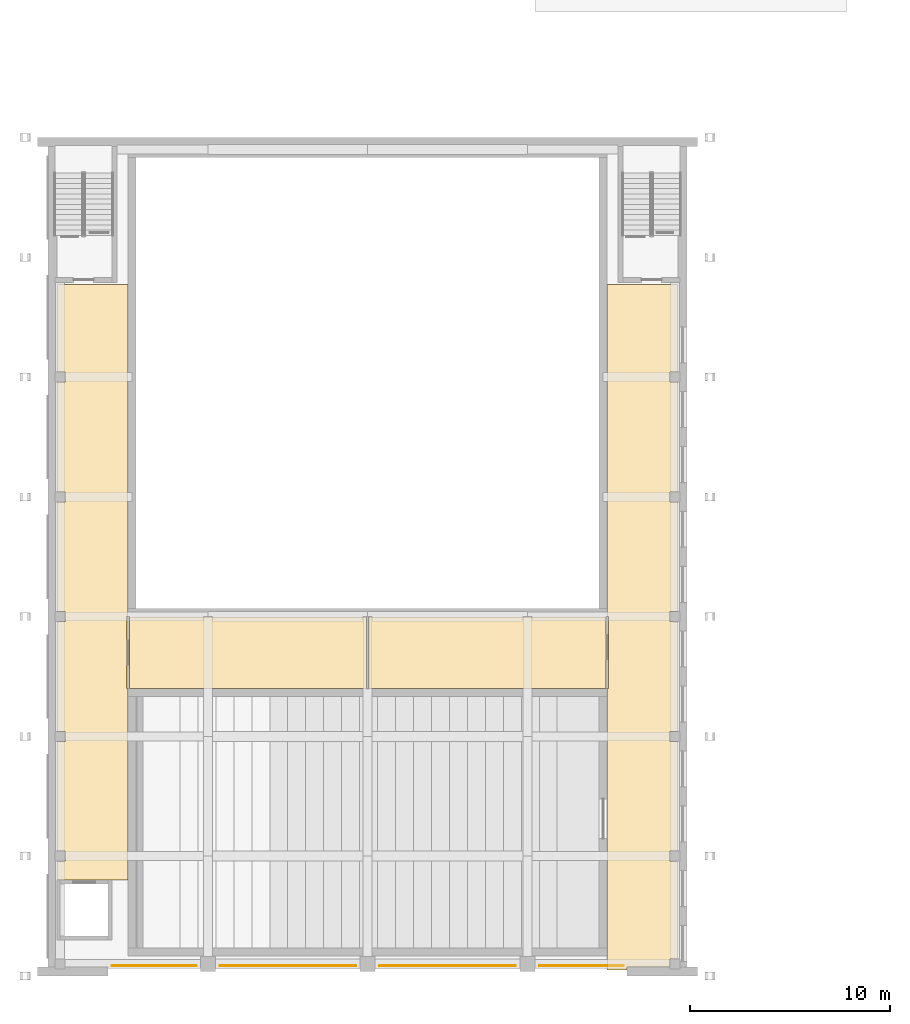
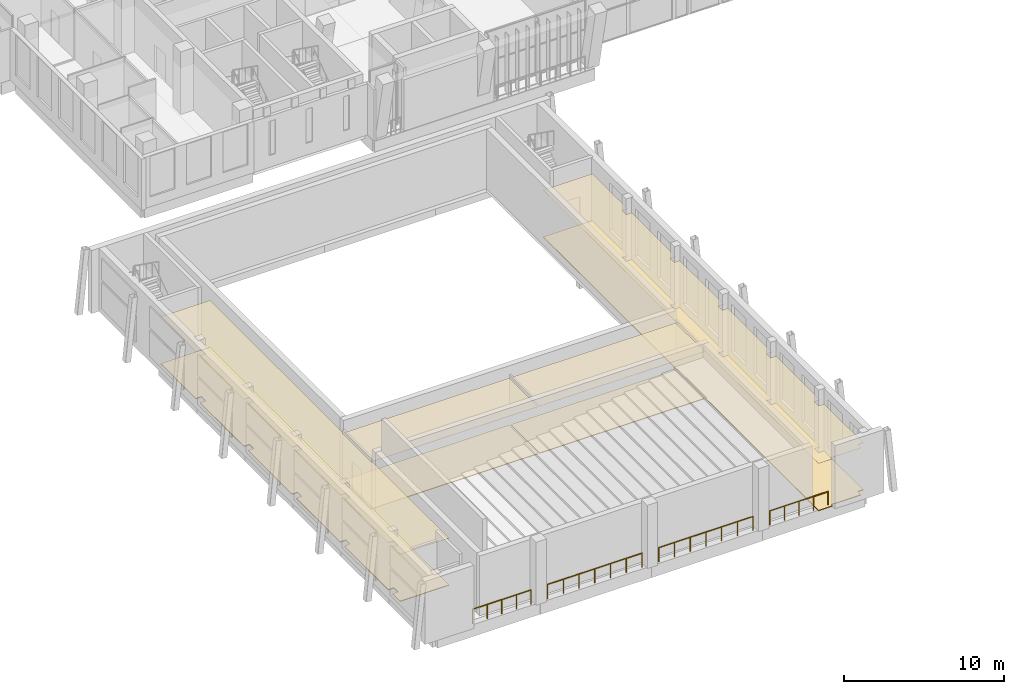
# One storey, part 72 of 92: 8 coverings, 4 railings.
"""IFC4 building model written with IfcOpenShell, lengths in metres."""

from ifc_helpers import new_model, si_unit, direction, frame, origin, origin_2d, place, context, subcontext, project, spatial, polyline, circle, outline, extrude, material, layer, layer_set, type_object, element, save


model = new_model("IFC4")

# Units and contexts
model_context = context("Model", 3, precision=1e-05, world=origin(), true_north=direction((0.0, 1.0)))
body_context = subcontext(model_context, "Body", "Model", "MODEL_VIEW")
ifc_project = project(units=[si_unit("LENGTHUNIT", "METRE"), si_unit("AREAUNIT", "SQUARE_METRE"), si_unit("VOLUMEUNIT", "CUBIC_METRE"), si_unit("PLANEANGLEUNIT", "RADIAN"), si_unit("MASSUNIT", "GRAM", prefix="KILO")], contexts=[model_context])

# Site, building, storey
site_placement = place(None, origin())
site = spatial("IfcSite", under=ifc_project, at=site_placement, CompositionType="ELEMENT")
building_placement = place(site_placement, origin())
building = spatial("IfcBuilding", under=site, at=building_placement, Name="Lantern Court Media Centre", CompositionType="ELEMENT")
storey_placement = place(building_placement, frame((0.0, 0.0, 4.800048828125)))
storey = spatial("IfcBuildingStorey", under=building, at=storey_placement, Name="L01", CompositionType="ELEMENT", Elevation=4.800048828125)

# Coverings
ifc_material_1 = material(Name="Carpet")
ifc_layer_1 = layer(ifc_material_1, 0.050048828125)
ifc_layer_set_1 = layer_set([ifc_layer_1], Name="Carpet")
covering_type_1 = type_object("IfcCoveringType", Name="Carpet floor finish", PredefinedType="FLOORING", material=ifc_layer_set_1)
covering_1_placement = place(storey_placement, origin())
element("IfcCovering", 1, at=covering_1_placement, inside=storey, type_object=covering_type_1, Name="Projection Room Screen 1 floor finish", PredefinedType="FLOORING", context=body_context, shape_type="SweptSolid", body=[
    extrude(outline(polyline([(4.0673828125, 12.405029296875), (4.0673828125, 15.9951171875), (15.945068359375, 15.9951171875), (15.945068359375, 12.405029296875), (4.0673828125, 12.405029296875)])), origin(), (0.0, 0.0, 1.0), 0.050048828125),
])
covering_2_placement = place(storey_placement, origin())
element("IfcCovering", 2, at=covering_2_placement, inside=storey, type_object=covering_type_1, Name="Projection Room Screen 2 floor finish", PredefinedType="FLOORING", context=body_context, shape_type="SweptSolid", body=[
    extrude(outline(polyline([(16.054931640625, 12.405029296875), (16.054931640625, 15.9951171875), (27.9326171875, 15.9951171875), (27.9326171875, 12.405029296875), (16.054931640625, 12.405029296875)])), origin(), (0.0, 0.0, 1.0), 0.050048828125),
])

# Railings
ifc_material_2 = material(Name="Powder-coated steel", Category="steel")
railing_type = type_object("IfcRailingType", Name="Floor edge guard 1100", PredefinedType="GUARDRAIL", material=ifc_material_2)
railing_1_placement = place(storey_placement, frame((7.409912109375, -1.489990234375, 0.0)))
element("IfcRailing", 3, at=railing_1_placement, inside=storey, type_object=railing_type, Name="L01 edge guard 3", PredefinedType="GUARDRAIL", context=body_context, shape_type="SweptSolid", body=[
    extrude(circle(Radius=0.02392578125, at=origin_2d()), frame((0.0, 0.0, 1.076171875), z_axis=(-1.0, 0.0, 0.0), x_axis=(0.0, -1.0, 0.0)), (0.0, 0.0, 1.0), 4.199951171875),
    extrude(circle(Radius=0.02099609375, at=origin_2d()), origin(), (0.0, 0.0, 1.0), 1.052001953125),
    extrude(circle(Radius=0.02099609375, at=origin_2d()), frame((-1.050048828125, 0.0, 0.0)), (0.0, 0.0, 1.0), 1.052001953125),
    extrude(circle(Radius=0.02099609375, at=origin_2d()), frame((-2.10009765625, 0.0, 0.0)), (0.0, 0.0, 1.0), 1.052001953125),
    extrude(circle(Radius=0.02099609375, at=origin_2d()), frame((-3.14990234375, 0.0, 0.0)), (0.0, 0.0, 1.0), 1.052001953125),
    extrude(circle(Radius=0.02099609375, at=origin_2d()), frame((-4.199951171875, 0.0, 0.0)), (0.0, 0.0, 1.0), 1.052001953125),
])
for number, where, name in (
    (4, (15.409912109375, -1.489990234375, 0.0), "L01 edge guard 8"),
    (5, (23.409912109375, -1.489990234375, 0.0), "L01 edge guard 9"),
):
    element("IfcRailing", number, at=place(storey_placement, frame(where)), inside=storey, type_object=railing_type, Name=name, PredefinedType="GUARDRAIL", context=body_context, shape_type="SweptSolid", body=[
        extrude(circle(Radius=0.02392578125, at=origin_2d()), frame((0.0, 0.0, 1.076171875), z_axis=(-1.0, 0.0, 0.0), x_axis=(0.0, -1.0, 0.0)), (0.0, 0.0, 1.0), 6.7998046875),
        extrude(circle(Radius=0.02099609375, at=origin_2d()), origin(), (0.0, 0.0, 1.0), 1.052001953125),
        extrude(circle(Radius=0.02099609375, at=origin_2d()), frame((-1.13330078125, 0.0, 0.0)), (0.0, 0.0, 1.0), 1.052001953125),
        extrude(circle(Radius=0.02099609375, at=origin_2d()), frame((-2.2666015625, 0.0, 0.0)), (0.0, 0.0, 1.0), 1.052001953125),
        extrude(circle(Radius=0.02099609375, at=origin_2d()), frame((-3.39990234375, 0.0, 0.0)), (0.0, 0.0, 1.0), 1.052001953125),
        extrude(circle(Radius=0.02099609375, at=origin_2d()), frame((-4.533203125, 0.0, 0.0)), (0.0, 0.0, 1.0), 1.052001953125),
        extrude(circle(Radius=0.02099609375, at=origin_2d()), frame((-5.66650390625, 0.0, 0.0)), (0.0, 0.0, 1.0), 1.052001953125),
        extrude(circle(Radius=0.02099609375, at=origin_2d()), frame((-6.7998046875, 0.0, 0.0)), (0.0, 0.0, 1.0), 1.052001953125),
    ])
railing_2_placement = place(storey_placement, frame((28.81005859375, -1.489990234375, 0.0)))
element("IfcRailing", 6, at=railing_2_placement, inside=storey, type_object=railing_type, Name="L01 edge guard 10", PredefinedType="GUARDRAIL", context=body_context, shape_type="SweptSolid", body=[
    extrude(circle(Radius=0.02392578125, at=origin_2d()), frame((0.0, 0.0, 1.076171875), z_axis=(-1.0, 0.0, 0.0), x_axis=(0.0, -1.0, 0.0)), (0.0, 0.0, 1.0), 4.199951171875),
    extrude(circle(Radius=0.02099609375, at=origin_2d()), origin(), (0.0, 0.0, 1.0), 1.052001953125),
    extrude(circle(Radius=0.02099609375, at=origin_2d()), frame((-1.050048828125, 0.0, 0.0)), (0.0, 0.0, 1.0), 1.052001953125),
    extrude(circle(Radius=0.02099609375, at=origin_2d()), frame((-2.10009765625, 0.0, 0.0)), (0.0, 0.0, 1.0), 1.052001953125),
    extrude(circle(Radius=0.02099609375, at=origin_2d()), frame((-3.14990234375, 0.0, 0.0)), (0.0, 0.0, 1.0), 1.052001953125),
    extrude(circle(Radius=0.02099609375, at=origin_2d()), frame((-4.199951171875, 0.0, 0.0)), (0.0, 0.0, 1.0), 1.052001953125),
])

# Coverings
ifc_material_3 = material(Name="Mineral fibre ceiling tile")
ifc_layer_2 = layer(ifc_material_3, 0.02001953125)
ifc_layer_set_2 = layer_set([ifc_layer_2], Name="Mineral fibre ceiling tile")
covering_type_2 = type_object("IfcCoveringType", Name="Suspended ceiling tile", PredefinedType="CEILING", material=ifc_layer_set_2)
covering_3_placement = place(storey_placement, frame((0.0, 0.0, 3.599853515625)))
element("IfcCovering", 7, at=covering_3_placement, inside=storey, type_object=covering_type_2, Name="Exit Corridor ceiling", PredefinedType="CEILING", context=body_context, shape_type="SweptSolid", body=[
    extrude(outline(polyline([(3.99951171875, 32.64990234375), (3.99951171875, 16.00048828125), (3.93701171875, 16.0), (3.93701171875, 12.39990234375), (3.99951171875, 12.3994140625), (3.99951171875, 2.800048828125), (0.450439453125, 2.800537109375), (0.450439453125, 3.74951171875), (0.8505859375, 3.75), (0.850341796875, 4.250244140625), (0.450439453125, 4.25048828125), (0.450439453125, 9.74951171875), (0.8505859375, 9.75), (0.850341796875, 10.250244140625), (0.450439453125, 10.25048828125), (0.450439453125, 15.74951171875), (0.8505859375, 15.75), (0.850341796875, 16.250244140625), (0.450439453125, 16.25048828125), (0.450439453125, 21.74951171875), (0.8505859375, 21.75), (0.850341796875, 22.250244140625), (0.450439453125, 22.25048828125), (0.450439453125, 27.74951171875), (0.8505859375, 27.75), (0.850341796875, 28.250244140625), (0.450439453125, 28.25048828125), (0.450439453125, 32.64990234375), (3.99951171875, 32.64990234375)])), origin(), (0.0, 0.0, 1.0), 0.02001953125),
])
covering_4_placement = place(storey_placement, frame((0.0, 0.0, 3.599853515625)))
element("IfcCovering", 8, at=covering_4_placement, inside=storey, type_object=covering_type_2, Name="Exit Corridor ceiling", PredefinedType="CEILING", context=body_context, shape_type="SweptSolid", body=[
    extrude(outline(polyline([(31.549560546875, 32.64990234375), (31.549560546875, 28.25048828125), (31.1494140625, 28.25), (31.149658203125, 27.749755859375), (31.549560546875, 27.74951171875), (31.549560546875, 22.25048828125), (31.1494140625, 22.25), (31.149658203125, 21.749755859375), (31.549560546875, 21.74951171875), (31.549560546875, 16.25048828125), (31.1494140625, 16.25), (31.149658203125, 15.749755859375), (31.549560546875, 15.74951171875), (31.549560546875, 10.25048828125), (31.1494140625, 10.25), (31.149658203125, 9.749755859375), (31.549560546875, 9.74951171875), (31.549560546875, 4.25048828125), (31.1494140625, 4.25), (31.149658203125, 3.749755859375), (31.549560546875, 3.74951171875), (31.549560546875, -1.1494140625), (31.149658203125, -1.149658203125), (31.1494140625, -1.549560546875), (29.0, -1.549560546875), (28.99951171875, -1.699951171875), (28.0, -1.699951171875), (28.00048828125, 12.3994140625), (28.06298828125, 12.39990234375), (28.06298828125, 16.0), (28.00048828125, 16.00048828125), (28.00048828125, 32.64990234375), (31.549560546875, 32.64990234375)])), origin(), (0.0, 0.0, 1.0), 0.02001953125),
])
covering_5_placement = place(storey_placement, frame((0.0, 0.0, 3.599853515625)))
element("IfcCovering", 9, at=covering_5_placement, inside=storey, type_object=covering_type_2, Name="Projection Room Screen 1 ceiling", PredefinedType="CEILING", context=body_context, shape_type="SweptSolid", body=[
    extrude(outline(polyline([(4.06298828125, 12.400390625), (4.06298828125, 15.99951171875), (15.949462890625, 15.99951171875), (15.949462890625, 12.400390625), (4.06298828125, 12.400390625)])), origin(), (0.0, 0.0, 1.0), 0.02001953125),
])
covering_6_placement = place(storey_placement, frame((0.0, 0.0, 3.599853515625)))
element("IfcCovering", 10, at=covering_6_placement, inside=storey, type_object=covering_type_2, Name="Projection Room Screen 2 ceiling", PredefinedType="CEILING", context=body_context, shape_type="SweptSolid", body=[
    extrude(outline(polyline([(16.050537109375, 12.400390625), (16.050537109375, 15.99951171875), (27.93701171875, 15.99951171875), (27.93701171875, 12.400390625), (16.050537109375, 12.400390625)])), origin(), (0.0, 0.0, 1.0), 0.02001953125),
])
ifc_material_4 = material(Name="Terrazzo")
ifc_layer_3 = layer(ifc_material_4, 0.050048828125)
ifc_layer_set_3 = layer_set([ifc_layer_3], Name="Terrazzo")
covering_type_3 = type_object("IfcCoveringType", Name="Terrazzo floor finish", PredefinedType="FLOORING", material=ifc_layer_set_3)
covering_7_placement = place(storey_placement, origin())
element("IfcCovering", 11, at=covering_7_placement, inside=storey, type_object=covering_type_3, Name="Exit Corridor floor finish", PredefinedType="FLOORING", context=body_context, shape_type="SweptSolid", body=[
    extrude(outline(polyline([(3.9951171875, 32.64990234375), (3.9951171875, 16.0048828125), (3.9326171875, 16.0), (3.9326171875, 12.39990234375), (3.9951171875, 12.39501953125), (3.9951171875, 2.800048828125), (0.455078125, 2.804931640625), (0.455078125, 3.7451171875), (0.85498046875, 3.75), (0.853759765625, 4.253173828125), (0.455078125, 4.2548828125), (0.455078125, 9.7451171875), (0.85498046875, 9.75), (0.853759765625, 10.253173828125), (0.455078125, 10.2548828125), (0.455078125, 15.7451171875), (0.85498046875, 15.75), (0.853759765625, 16.253173828125), (0.455078125, 16.2548828125), (0.455078125, 21.7451171875), (0.85498046875, 21.75), (0.853759765625, 22.253173828125), (0.455078125, 22.2548828125), (0.455078125, 27.7451171875), (0.85498046875, 27.75), (0.853759765625, 28.253173828125), (0.455078125, 28.2548828125), (0.455078125, 32.64990234375), (3.9951171875, 32.64990234375)])), origin(), (0.0, 0.0, 1.0), 0.050048828125),
])
covering_8_placement = place(storey_placement, origin())
element("IfcCovering", 12, at=covering_8_placement, inside=storey, type_object=covering_type_3, Name="Exit Corridor floor finish", PredefinedType="FLOORING", context=body_context, shape_type="SweptSolid", body=[
    extrude(outline(polyline([(31.544921875, 32.64990234375), (31.544921875, 28.2548828125), (31.14501953125, 28.25), (31.146240234375, 27.746826171875), (31.544921875, 27.7451171875), (31.544921875, 22.2548828125), (31.14501953125, 22.25), (31.146240234375, 21.746826171875), (31.544921875, 21.7451171875), (31.544921875, 16.2548828125), (31.14501953125, 16.25), (31.146240234375, 15.746826171875), (31.544921875, 15.7451171875), (31.544921875, 10.2548828125), (31.14501953125, 10.25), (31.146240234375, 9.746826171875), (31.544921875, 9.7451171875), (31.544921875, 4.2548828125), (31.14501953125, 4.25), (31.146240234375, 3.746826171875), (31.544921875, 3.7451171875), (31.544921875, -1.14501953125), (31.146484375, -1.146484375), (31.14501953125, -1.544921875), (28.99951171875, -1.544921875), (28.9951171875, -1.699951171875), (28.0, -1.699951171875), (28.0048828125, 12.39501953125), (28.0673828125, 12.39990234375), (28.0673828125, 16.0), (28.0048828125, 16.0048828125), (28.0048828125, 32.64990234375), (31.544921875, 32.64990234375)])), origin(), (0.0, 0.0, 1.0), 0.050048828125),
])

save(model, "model.ifc")
